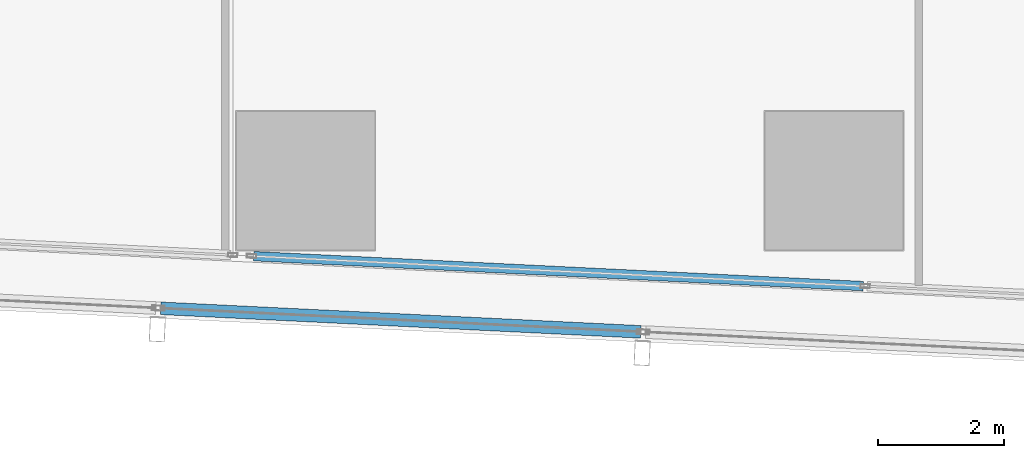
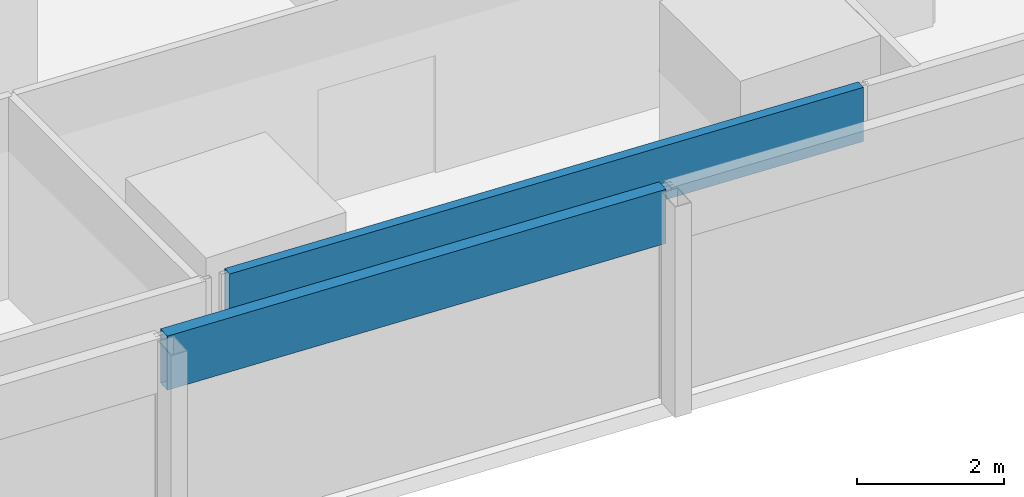
# One storey, part 3 of 44: 2 members, 2 elements without a shape of their own.
"""IFC4 building model written with IfcOpenShell, lengths in metres."""

from ifc_helpers import new_model, si_unit, direction, frame, origin, origin_2d, place, context, subcontext, project, spatial, hollow_rectangle, extrude, material, material_profile, profile_set, type_object, element, aggregate, save


model = new_model("IFC4")

# Units and contexts
model_context = context("Model", 3, precision=1e-05, world=origin(), true_north=direction((0.0, 1.0)))
body_context = subcontext(model_context, "Body", "Model", "MODEL_VIEW")
ifc_project = project(units=[si_unit("LENGTHUNIT", "METRE"), si_unit("AREAUNIT", "SQUARE_METRE"), si_unit("VOLUMEUNIT", "CUBIC_METRE"), si_unit("PLANEANGLEUNIT", "RADIAN"), si_unit("MASSUNIT", "GRAM", prefix="KILO")], contexts=[model_context])

# Site, building, storey
site_placement = place(None, origin())
site = spatial("IfcSite", under=ifc_project, at=site_placement, CompositionType="ELEMENT")
building_placement = place(site_placement, origin())
building = spatial("IfcBuilding", under=site, at=building_placement, Name="Rekha Terrace Tower", CompositionType="ELEMENT")
storey_placement = place(building_placement, frame((0.0, 0.0, 62.89990234375)))
storey = spatial("IfcBuildingStorey", under=building, at=storey_placement, Name="L15", CompositionType="ELEMENT", Elevation=62.89990234375)

# Curtain wall, member
ifc_material_1 = material(Name="Aluminium framing", Category="aluminium")
curtain_wall_type_1 = type_object("IfcCurtainWallType", Name="CW1 double skin inner glazing", PredefinedType="USERDEFINED", material=ifc_material_1)
curtain_wall_1_placement = place(storey_placement, origin())
curtain_wall_1 = element("IfcCurtainWall", 1, at=curtain_wall_1_placement, inside=storey, type_object=curtain_wall_type_1, Name="CW1 double skin inner glazing", ObjectType="DOUBLE SKIN INNER GLAZING", PredefinedType="USERDEFINED")
ifc_material_2 = material(Name="Insulated aluminium spandrel box", Category="aluminium")
ifc_material_profile_1 = material_profile(ifc_material_2, hollow_rectangle(XDim=0.14990234375, YDim=0.89990234375, WallThickness=0.0029296875, at=origin_2d()), Name="AL SPANDREL BOX 150x900")
ifc_profile_set_1 = profile_set([ifc_material_profile_1], Name="Insulated aluminium spandrel box")
member_type_1 = type_object("IfcMemberType", Name="CW1 spandrel transom 150 x 900", PredefinedType="USERDEFINED", material=ifc_profile_set_1)
member_1_placement = place(storey_placement, frame((15.973388671875, 7.200927734375, 3.050048828125), z_axis=(0.99879655824, -0.049045236754, 0.0), x_axis=(0.049045236754, 0.99879655824, 0.0)))
member_1 = element("IfcMember", 2, at=member_1_placement, type_object=member_type_1, Name="CW1 spandrel transom 1", ObjectType="TRANSOM", PredefinedType="USERDEFINED", context=body_context, shape_type="SweptSolid", body=[
    extrude(hollow_rectangle(XDim=0.14990234375, YDim=0.89990234375, WallThickness=0.0029296875, at=origin_2d()), origin(), (0.0, 0.0, 1.0), 9.701904296875),
])
aggregate(curtain_wall_1, [member_1])

curtain_wall_type_2 = type_object("IfcCurtainWallType", Name="CW2 double skin outer glazing", PredefinedType="USERDEFINED", material=ifc_material_1)
curtain_wall_2_placement = place(storey_placement, origin())
curtain_wall_2 = element("IfcCurtainWall", 3, at=curtain_wall_2_placement, inside=storey, type_object=curtain_wall_type_2, Name="CW2 double skin outer glazing", ObjectType="DOUBLE SKIN OUTER GLAZING", PredefinedType="USERDEFINED")
ifc_material_profile_2 = material_profile(ifc_material_2, hollow_rectangle(XDim=0.199951171875, YDim=0.89990234375, WallThickness=0.0029296875, at=origin_2d()), Name="AL SPANDREL BOX 200x900")
ifc_profile_set_2 = profile_set([ifc_material_profile_2], Name="Insulated aluminium spandrel box")
member_type_2 = type_object("IfcMemberType", Name="CW2 spandrel transom 200 x 900", PredefinedType="USERDEFINED", material=ifc_profile_set_2)
member_2_placement = place(storey_placement, frame((14.499755859375, 6.372314453125, 3.050048828125), z_axis=(0.998796511558, -0.049046187417, 0.0), x_axis=(0.049046187417, 0.998796511558, 0.0)))
member_2 = element("IfcMember", 4, at=member_2_placement, type_object=member_type_2, Name="CW2 spandrel transom 2", ObjectType="TRANSOM", PredefinedType="USERDEFINED", context=body_context, shape_type="SweptSolid", body=[
    extrude(hollow_rectangle(XDim=0.199951171875, YDim=0.89990234375, WallThickness=0.0029296875, at=origin_2d()), origin(), (0.0, 0.0, 1.0), 7.635986328125),
])
aggregate(curtain_wall_2, [member_2])

save(model, "model.ifc")
